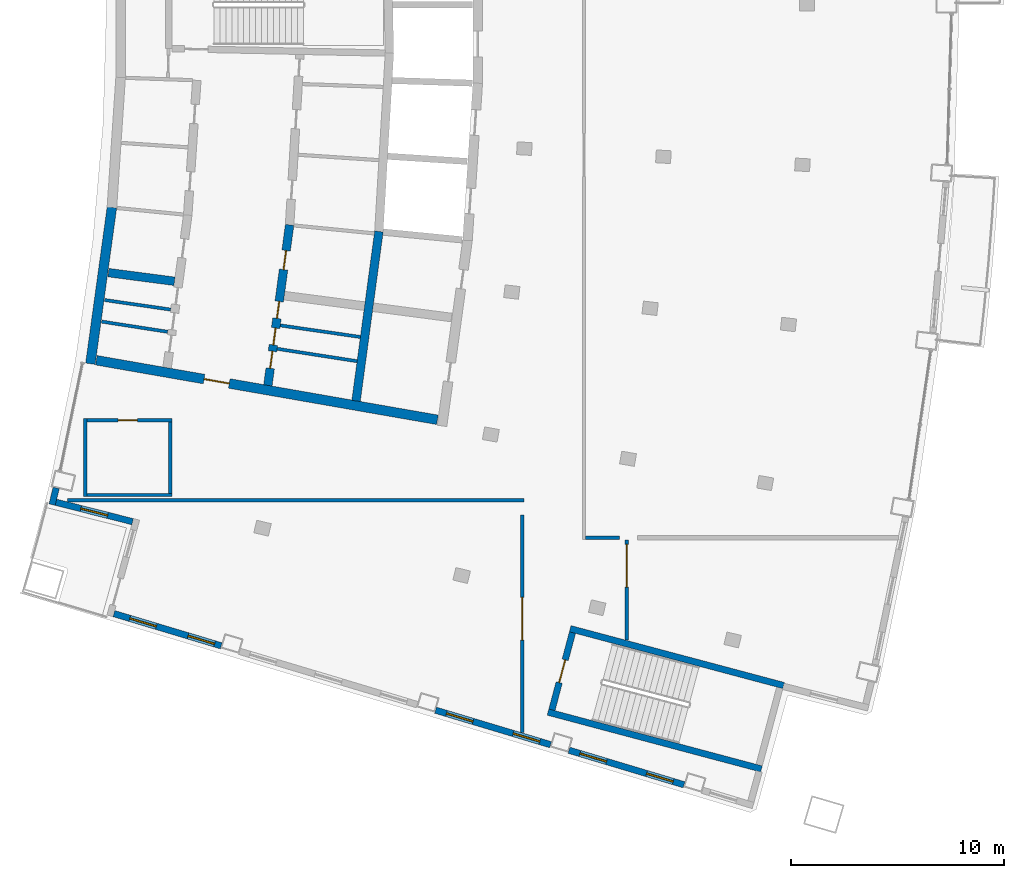
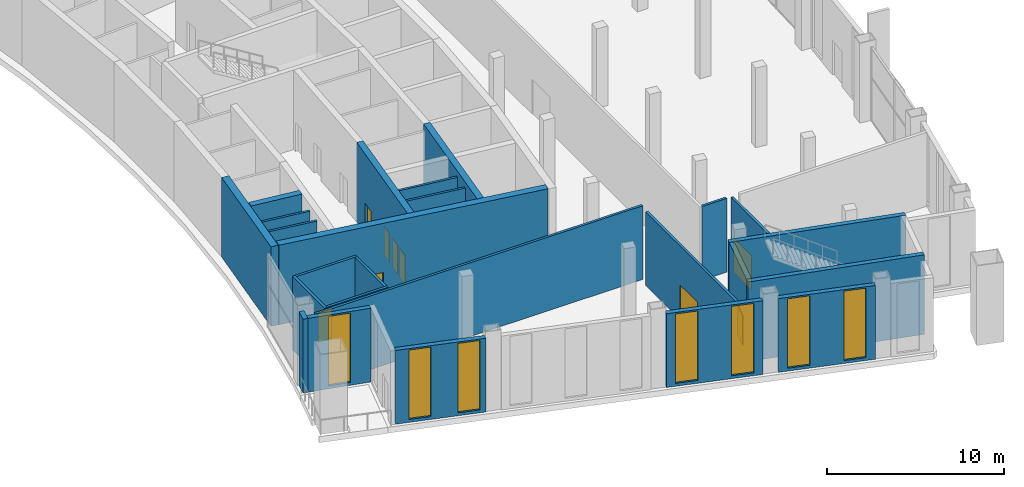
# One storey, part 6 of 13: 25 walls, 9 doors, 7 windows, 16 openings.
"""IFC4 building model written with IfcOpenShell, lengths in metres."""

from ifc_helpers import new_model, si_unit, direction, frame, frame_2d, origin, place, context, subcontext, project, spatial, rectangle, extrude, material, layer, layer_set, type_object, element, fill, save


model = new_model("IFC4")

# Units and contexts
model_context = context("Model", 3, precision=1e-05, world=origin(), true_north=direction((0.0, 1.0)))
body_context = subcontext(model_context, "Body", "Model", "MODEL_VIEW")
ifc_project = project(units=[si_unit("LENGTHUNIT", "METRE"), si_unit("AREAUNIT", "SQUARE_METRE"), si_unit("VOLUMEUNIT", "CUBIC_METRE"), si_unit("PLANEANGLEUNIT", "RADIAN"), si_unit("MASSUNIT", "GRAM", prefix="KILO")], contexts=[model_context])

# Site, building, storey
site_placement = place(None, origin())
site = spatial("IfcSite", under=ifc_project, at=site_placement, CompositionType="ELEMENT")
building_placement = place(site_placement, origin())
building = spatial("IfcBuilding", under=site, at=building_placement, Name="Alderwake Tower", CompositionType="ELEMENT")
storey_placement = place(building_placement, frame((0.0, 0.0, 304.5)))
storey = spatial("IfcBuildingStorey", under=building, at=storey_placement, Name="L74", CompositionType="ELEMENT", Elevation=304.5)

# Walls
ifc_material_1 = material(Name="Gypsum shaft wall system, rated")
ifc_layer_1 = layer(ifc_material_1, 0.14990234375)
ifc_layer_set_1 = layer_set([ifc_layer_1], Name="Core room partition 150")
wall_type_1 = type_object("IfcWallType", Name="Core room partition 150", PredefinedType="PARTITIONING", material=ifc_layer_set_1)
wall_1_placement = place(storey_placement, frame((15.777099609375, 46.136474609375, 0.0), z_axis=(0.0, 0.0, 1.0), x_axis=(0.988162490428, -0.153410861774, 0.0)))
element("IfcWall", 1, at=wall_1_placement, inside=storey, type_object=wall_type_1, Name="CW/L74/PR-161_+0", PredefinedType="PARTITIONING", context=body_context, shape_type="SweptSolid", body=[
    extrude(rectangle(XDim=3.13037109375, YDim=0.14990234375, at=frame_2d((1.565185546875, 0.0))), origin(), (0.0, 0.0, 1.0), 5.10009765625),
])
wall_2_placement = place(storey_placement, frame((24.006103515625, 44.859375, 0.0), z_axis=(0.0, 0.0, 1.0), x_axis=(0.98816936707, -0.153366560842, 0.0)))
element("IfcWall", 2, at=wall_2_placement, inside=storey, type_object=wall_type_1, Name="CW/L74/PR-161_+86", PredefinedType="PARTITIONING", context=body_context, shape_type="SweptSolid", body=[
    extrude(rectangle(XDim=3.796630859375, YDim=0.14990234375, at=frame_2d((1.8984375, 0.0))), origin(), (0.0, 0.0, 1.0), 5.10009765625),
])
wall_3_placement = place(storey_placement, frame((15.916015625, 47.146484375, 0.0), z_axis=(0.0, 0.0, 1.0), x_axis=(0.989723447804, -0.142994744194, 0.0)))
element("IfcWall", 3, at=wall_3_placement, inside=storey, type_object=wall_type_1, Name="CW/L74/PR-150_+0", PredefinedType="PARTITIONING", context=body_context, shape_type="SweptSolid", body=[
    extrude(rectangle(XDim=3.1279296875, YDim=0.14990234375, at=frame_2d((1.56396484375, 0.0))), origin(), (0.0, 0.0, 1.0), 5.10009765625),
])
wall_4_placement = place(storey_placement, frame((24.15478515625, 45.956298828125, 0.0), z_axis=(0.0, 0.0, 1.0), x_axis=(0.989733513529, -0.142925057975, 0.0)))
element("IfcWall", 4, at=wall_4_placement, inside=storey, type_object=wall_type_1, Name="CW/L74/PR-150_+86", PredefinedType="PARTITIONING", context=body_context, shape_type="SweptSolid", body=[
    extrude(rectangle(XDim=3.795654296875, YDim=0.14990234375, at=frame_2d((1.89794921875, 0.0))), origin(), (0.0, 0.0, 1.0), 5.10009765625),
])
ifc_material_2 = material(Name="Concrete C70/85", Category="concrete")
ifc_layer_2 = layer(ifc_material_2, 0.449951171875)
ifc_layer_set_2 = layer_set([ifc_layer_2], Name="Core wall outer 450 C70-85")
wall_type_2 = type_object("IfcWallType", Name="Core wall outer 450 C70-85", PredefinedType="SHEAR", material=ifc_layer_set_2)
wall_5_placement = place(storey_placement, frame((15.247802734375, 44.159423828125, 0.0), z_axis=(0.0, 0.0, 1.0), x_axis=(0.136306095634, 0.990666769551, 0.0)))
element("IfcWall", 5, at=wall_5_placement, inside=storey, type_object=wall_type_2, Name="Core wall CW.028", PredefinedType="SHEAR", context=body_context, shape_type="SweptSolid", body=[
    extrude(rectangle(XDim=7.40625, YDim=0.449951171875, at=frame_2d((3.703125, 0.0))), origin(), (0.0, 0.0, 1.0), 5.5),
])

# Wall, opening, door
wall_6_placement = place(storey_placement, frame((31.523681640625, 41.529052734375, 0.0), z_axis=(0.0, 0.0, 1.0), x_axis=(-0.985099762962, 0.171983885907, 0.0)))
wall_6 = element("IfcWall", 6, at=wall_6_placement, inside=storey, type_object=wall_type_2, Name="Core wall CW.073", PredefinedType="SHEAR", context=body_context, shape_type="SweptSolid", body=[
    extrude(rectangle(XDim=16.23828125, YDim=0.449951171875, at=frame_2d((8.119140625, 0.0))), origin(), (0.0, 0.0, 1.0), 5.5),
])
opening_1_placement = place(wall_6_placement, frame((9.91064453125, 0.0, 0.0)))
opening_1 = element("IfcOpeningElement", 7, at=opening_1_placement, cuts=wall_6, Name="Opening C003", PredefinedType="OPENING", context=body_context, shape_type="SweptSolid", body=[
    extrude(rectangle(XDim=1.199951171875, YDim=2.10009765625, at=frame_2d((0.60009765625, 1.050048828125))), frame((0.0, 0.23486328125, 0.0), z_axis=(0.0, -1.0, 0.0), x_axis=(1.0, 0.0, 0.0)), (0.0, 0.0, 1.0), 0.469970703125),
])
ifc_material_3 = material(Name="Steel-framed fire door leaf", Category="steel")
door_type_1 = type_object("IfcDoorType", Name="Core lobby exit door 1200 fire-rated", OperationType="SINGLE_SWING_LEFT", PredefinedType="DOOR", material=ifc_material_3)
door_1_placement = place(opening_1_placement, origin())
door_1 = element("IfcDoor", 8, at=door_1_placement, inside=storey, type_object=door_type_1, Name="Lobby door", OperationType="SINGLE_SWING_LEFT", OverallHeight=2.10009765625, OverallWidth=1.199951171875, PredefinedType="DOOR", context=body_context, shape_type="SweptSolid", body=[
    extrude(rectangle(XDim=1.199951171875, YDim=2.10009765625, at=frame_2d((0.60009765625, 1.050048828125))), frame((0.0, 0.02490234375, 0.0), z_axis=(0.0, -1.0, 0.0), x_axis=(1.0, 0.0, 0.0)), (0.0, 0.0, 1.0), 0.050048828125),
])
fill(opening_1, door_1)

# Wall, openings, doors
ifc_material_4 = material(Name="Concrete C70/85", Category="concrete")
ifc_layer_3 = layer(ifc_material_4, 0.39990234375)
ifc_layer_set_3 = layer_set([ifc_layer_3], Name="Core wall spine 400 C70-85")
wall_type_3 = type_object("IfcWallType", Name="Core wall spine 400 C70-85", PredefinedType="SHEAR", material=ifc_layer_set_3)
wall_7_placement = place(storey_placement, frame((23.572265625, 43.14453125, 0.0), z_axis=(0.0, 0.0, 1.0), x_axis=(0.134205350878, 0.990953542703, 0.0)))
wall_7 = element("IfcWall", 9, at=wall_7_placement, inside=storey, type_object=wall_type_3, Name="Core wall CW.047", PredefinedType="SHEAR", context=body_context, shape_type="SweptSolid", body=[
    extrude(rectangle(XDim=7.5966796875, YDim=0.39990234375, at=frame_2d((3.79833984375, 0.0))), origin(), (0.0, 0.0, 1.0), 5.5),
])
opening_2_placement = place(wall_7_placement, frame((0.807861328125, 0.0, 0.0)))
opening_2 = element("IfcOpeningElement", 10, at=opening_2_placement, cuts=wall_7, Name="Opening C016", PredefinedType="OPENING", context=body_context, shape_type="SweptSolid", body=[
    extrude(rectangle(XDim=0.800048828125, YDim=2.0, at=frame_2d((0.39990234375, 1.0))), frame((0.0, 0.2099609375, 0.0), z_axis=(0.0, -1.0, 0.0), x_axis=(1.0, 0.0, 0.0)), (0.0, 0.0, 1.0), 0.419921875),
])
opening_3_placement = place(wall_7_placement, frame((1.9130859375, 0.0, 0.0)))
opening_3 = element("IfcOpeningElement", 11, at=opening_3_placement, cuts=wall_7, Name="Opening C018", PredefinedType="OPENING", context=body_context, shape_type="SweptSolid", body=[
    extrude(rectangle(XDim=0.800048828125, YDim=2.0, at=frame_2d((0.39990234375, 1.0))), frame((0.0, 0.2099609375, 0.0), z_axis=(0.0, -1.0, 0.0), x_axis=(1.0, 0.0, 0.0)), (0.0, 0.0, 1.0), 0.419921875),
])
opening_4_placement = place(wall_7_placement, frame((3.16943359375, 0.0, 0.0)))
opening_4 = element("IfcOpeningElement", 12, at=opening_4_placement, cuts=wall_7, Name="Opening C019", PredefinedType="OPENING", context=body_context, shape_type="SweptSolid", body=[
    extrude(rectangle(XDim=0.800048828125, YDim=2.0, at=frame_2d((0.39990234375, 1.0))), frame((0.0, 0.2099609375, 0.0), z_axis=(0.0, -1.0, 0.0), x_axis=(1.0, 0.0, 0.0)), (0.0, 0.0, 1.0), 0.419921875),
])
opening_5_placement = place(wall_7_placement, frame((5.481201171875, 0.0, 0.0)))
opening_5 = element("IfcOpeningElement", 13, at=opening_5_placement, cuts=wall_7, Name="Opening C045", PredefinedType="OPENING", context=body_context, shape_type="SweptSolid", body=[
    extrude(rectangle(XDim=0.89990234375, YDim=2.10009765625, at=frame_2d((0.449951171875, 1.050048828125))), frame((0.0, 0.2099609375, 0.0), z_axis=(0.0, -1.0, 0.0), x_axis=(1.0, 0.0, 0.0)), (0.0, 0.0, 1.0), 0.419921875),
])
ifc_material_5 = material(Name="Painted steel leaf", Category="steel")
door_type_2 = type_object("IfcDoorType", Name="Core room door 900", OperationType="SINGLE_SWING_LEFT", PredefinedType="DOOR", material=ifc_material_5)
door_2_placement = place(opening_5_placement, origin())
door_2 = element("IfcDoor", 14, at=door_2_placement, inside=storey, type_object=door_type_2, Name="Room door", OperationType="SINGLE_SWING_LEFT", OverallHeight=2.10009765625, OverallWidth=0.89990234375, PredefinedType="DOOR", context=body_context, shape_type="SweptSolid", body=[
    extrude(rectangle(XDim=0.89990234375, YDim=2.10009765625, at=frame_2d((0.449951171875, 1.050048828125))), frame((0.0, 0.02490234375, 0.0), z_axis=(0.0, -1.0, 0.0), x_axis=(1.0, 0.0, 0.0)), (0.0, 0.0, 1.0), 0.050048828125),
])
fill(opening_5, door_2)
ifc_material_6 = material(Name="Painted steel leaf, rated", Category="steel")
door_type_3 = type_object("IfcDoorType", Name="Riser access door 800", OperationType="SINGLE_SWING_LEFT", PredefinedType="DOOR", material=ifc_material_6)
door_3_placement = place(opening_2_placement, origin())
door_3 = element("IfcDoor", 15, at=door_3_placement, inside=storey, type_object=door_type_3, Name="Riser access door", OperationType="SINGLE_SWING_RIGHT", OverallHeight=2.0, OverallWidth=0.800048828125, PredefinedType="DOOR", context=body_context, shape_type="SweptSolid", body=[
    extrude(rectangle(XDim=0.800048828125, YDim=2.0, at=frame_2d((0.39990234375, 1.0))), frame((0.0, 0.02490234375, 0.0), z_axis=(0.0, -1.0, 0.0), x_axis=(1.0, 0.0, 0.0)), (0.0, 0.0, 1.0), 0.050048828125),
])
fill(opening_2, door_3)
door_4_placement = place(opening_3_placement, origin())
door_4 = element("IfcDoor", 16, at=door_4_placement, inside=storey, type_object=door_type_3, Name="Riser access door", OperationType="SINGLE_SWING_LEFT", OverallHeight=2.0, OverallWidth=0.800048828125, PredefinedType="DOOR", context=body_context, shape_type="SweptSolid", body=[
    extrude(rectangle(XDim=0.800048828125, YDim=2.0, at=frame_2d((0.39990234375, 1.0))), frame((0.0, 0.02490234375, 0.0), z_axis=(0.0, -1.0, 0.0), x_axis=(1.0, 0.0, 0.0)), (0.0, 0.0, 1.0), 0.050048828125),
])
fill(opening_3, door_4)
door_5_placement = place(opening_4_placement, origin())
door_5 = element("IfcDoor", 17, at=door_5_placement, inside=storey, type_object=door_type_3, Name="Riser access door", OperationType="SINGLE_SWING_RIGHT", OverallHeight=2.0, OverallWidth=0.800048828125, PredefinedType="DOOR", context=body_context, shape_type="SweptSolid", body=[
    extrude(rectangle(XDim=0.800048828125, YDim=2.0, at=frame_2d((0.39990234375, 1.0))), frame((0.0, 0.02490234375, 0.0), z_axis=(0.0, -1.0, 0.0), x_axis=(1.0, 0.0, 0.0)), (0.0, 0.0, 1.0), 0.050048828125),
])
fill(opening_4, door_5)

# Walls
wall_8_placement = place(storey_placement, frame((27.7080078125, 42.413330078125, 0.0), z_axis=(0.0, 0.0, 1.0), x_axis=(0.133812079784, 0.991006724147, 0.0)))
element("IfcWall", 18, at=wall_8_placement, inside=storey, type_object=wall_type_3, Name="Core wall CW.006", PredefinedType="SHEAR", context=body_context, shape_type="SweptSolid", body=[
    extrude(rectangle(XDim=8.0224609375, YDim=0.39990234375, at=frame_2d((4.01123046875, 0.0))), origin(), (0.0, 0.0, 1.0), 5.5),
])
wall_9_placement = place(storey_placement, frame((16.093017578125, 48.431640625, 0.0), z_axis=(0.0, 0.0, 1.0), x_axis=(0.991562461837, -0.12962979702, 0.0)))
element("IfcWall", 19, at=wall_9_placement, inside=storey, type_object=wall_type_3, Name="Core wall CW.067", PredefinedType="SHEAR", context=body_context, shape_type="SweptSolid", body=[
    extrude(rectangle(XDim=3.12451171875, YDim=0.39990234375, at=frame_2d((1.562255859375, 0.0))), origin(), (0.0, 0.0, 1.0), 5.5),
])
ifc_material_7 = material(Name="Concrete C70/85", Category="concrete")
ifc_layer_4 = layer(ifc_material_7, 0.300048828125)
ifc_layer_set_4 = layer_set([ifc_layer_4], Name="Core wall stair enclosure 300 C70-85")
wall_type_4 = type_object("IfcWallType", Name="Core wall stair enclosure 300 C70-85", PredefinedType="SHEAR", material=ifc_layer_set_4)
for number, where, z_axis, x_axis, name in (
    (20, (37.75390625, 31.731201171875, 0.0), (0.0, 0.0, 1.0), (0.966309214305, -0.257383958996, 0.0), "Core wall CW.086"),
    (21, (36.71142578125, 27.817626953125, 0.0), (0.0, 0.0, 1.0), (0.966309214305, -0.257383958996, 0.0), "Core wall CW.088"),
):
    element("IfcWall", number, at=place(storey_placement, frame(where, z_axis=z_axis, x_axis=x_axis)), inside=storey, type_object=wall_type_4, Name=name, PredefinedType="SHEAR", context=body_context, shape_type="SweptSolid", body=[
        extrude(rectangle(XDim=10.360107421875, YDim=0.300048828125, at=frame_2d((5.18017578125, 0.0))), origin(), (0.0, 0.0, 1.0), 5.5),
    ])

# Wall, opening, door
wall_10_placement = place(storey_placement, frame((36.89501953125, 27.923828125, 0.0), z_axis=(0.0, 0.0, 1.0), x_axis=(0.257350630826, 0.966318090907, 0.0)))
wall_10 = element("IfcWall", 22, at=wall_10_placement, inside=storey, type_object=wall_type_4, Name="Core wall CW.087", PredefinedType="SHEAR", context=body_context, shape_type="SweptSolid", body=[
    extrude(rectangle(XDim=3.75, YDim=0.300048828125, at=frame_2d((1.875, 0.0))), origin(), (0.0, 0.0, 1.0), 5.5),
])
opening_6_placement = place(wall_10_placement, frame((1.324951171875, 0.0, 0.0)))
opening_6 = element("IfcOpeningElement", 23, at=opening_6_placement, cuts=wall_10, Name="Opening C065", PredefinedType="OPENING", context=body_context, shape_type="SweptSolid", body=[
    extrude(rectangle(XDim=1.10009765625, YDim=2.10009765625, at=frame_2d((0.550048828125, 1.050048828125))), frame((0.0, 0.159912109375, 0.0), z_axis=(0.0, -1.0, 0.0), x_axis=(1.0, 0.0, 0.0)), (0.0, 0.0, 1.0), 0.320068359375),
])
ifc_material_8 = material(Name="Steel-framed fire door leaf", Category="steel")
door_type_4 = type_object("IfcDoorType", Name="Core stair door 1100 fire-rated", OperationType="SINGLE_SWING_LEFT", PredefinedType="DOOR", material=ifc_material_8)
door_6_placement = place(opening_6_placement, origin())
door_6 = element("IfcDoor", 24, at=door_6_placement, inside=storey, type_object=door_type_4, Name="Stair door", OperationType="SINGLE_SWING_LEFT", OverallHeight=2.10009765625, OverallWidth=1.10009765625, PredefinedType="DOOR", context=body_context, shape_type="SweptSolid", body=[
    extrude(rectangle(XDim=1.10009765625, YDim=2.10009765625, at=frame_2d((0.550048828125, 1.050048828125))), frame((0.0, 0.02490234375, 0.0), z_axis=(0.0, -1.0, 0.0), x_axis=(1.0, 0.0, 0.0)), (0.0, 0.0, 1.0), 0.050048828125),
])
fill(opening_6, door_6)

# Walls
ifc_material_9 = material(Name="Gypsum board on metal studs, rated")
ifc_layer_5 = layer(ifc_material_9, 0.159912109375)
ifc_layer_set_5 = layer_set([ifc_layer_5], Name="Corridor wall 160")
wall_type_5 = type_object("IfcWallType", Name="Corridor wall 160", PredefinedType="PARTITIONING", material=ifc_layer_set_5)
wall_11_placement = place(storey_placement, frame((14.179931640625, 37.7490234375, 0.0), z_axis=(0.0, 0.0, 1.0), x_axis=(1.0, 0.0, 0.0)))
element("IfcWall", 25, at=wall_11_placement, inside=storey, type_object=wall_type_5, Name="WL/L74/W05", PredefinedType="PARTITIONING", context=body_context, shape_type="SweptSolid", body=[
    extrude(rectangle(XDim=21.399169921875, YDim=0.159912109375, at=frame_2d((10.69970703125, 0.0))), origin(), (0.0, 0.0, 1.0), 5.10009765625),
])
wall_12_placement = place(storey_placement, frame((15.0, 37.9208984375, 0.0), z_axis=(0.0, 0.0, 1.0), x_axis=(0.0, 1.0, 0.0)))
element("IfcWall", 26, at=wall_12_placement, inside=storey, type_object=wall_type_5, Name="WL/L74/W06", PredefinedType="PARTITIONING", context=body_context, shape_type="SweptSolid", body=[
    extrude(rectangle(XDim=3.658203125, YDim=0.159912109375, at=frame_2d((1.8291015625, 0.0))), origin(), (0.0, 0.0, 1.0), 5.10009765625),
])
wall_13_placement = place(storey_placement, frame((15.080078125, 38.0009765625, 0.0), z_axis=(0.0, 0.0, 1.0), x_axis=(1.0, 0.0, 0.0)))
element("IfcWall", 27, at=wall_13_placement, inside=storey, type_object=wall_type_5, Name="WL/L74/W07", PredefinedType="PARTITIONING", context=body_context, shape_type="SweptSolid", body=[
    extrude(rectangle(XDim=3.9990234375, YDim=0.159912109375, at=frame_2d((1.99951171875, 0.0))), origin(), (0.0, 0.0, 1.0), 5.10009765625),
])

# Wall, opening, door
wall_14_placement = place(storey_placement, frame((15.080078125, 41.4990234375, 0.0), z_axis=(0.0, 0.0, 1.0), x_axis=(1.0, 0.0, 0.0)))
wall_14 = element("IfcWall", 28, at=wall_14_placement, inside=storey, type_object=wall_type_5, Name="WL/L74/W08", PredefinedType="PARTITIONING", context=body_context, shape_type="SweptSolid", body=[
    extrude(rectangle(XDim=3.9990234375, YDim=0.159912109375, at=frame_2d((1.99951171875, 0.0))), origin(), (0.0, 0.0, 1.0), 5.10009765625),
])
opening_7_placement = place(wall_14_placement, frame((1.469970703125, 0.0, 0.0)))
opening_7 = element("IfcOpeningElement", 29, at=opening_7_placement, cuts=wall_14, Name="Opening L74-08", PredefinedType="OPENING", context=body_context, shape_type="SweptSolid", body=[
    extrude(rectangle(XDim=0.89990234375, YDim=2.10009765625, at=frame_2d((0.449951171875, 1.050048828125))), frame((0.0, 0.08984375, 0.0), z_axis=(0.0, -1.0, 0.0), x_axis=(1.0, 0.0, 0.0)), (0.0, 0.0, 1.0), 0.179931640625),
])
ifc_material_10 = material(Name="Painted timber leaf", Category="wood")
door_type_5 = type_object("IfcDoorType", Name="Room door 900", OperationType="SINGLE_SWING_LEFT", PredefinedType="DOOR", material=ifc_material_10)
door_7_placement = place(opening_7_placement, origin())
door_7 = element("IfcDoor", 30, at=door_7_placement, inside=storey, type_object=door_type_5, Name="DR/L74/08", OperationType="SINGLE_SWING_LEFT", OverallHeight=2.10009765625, OverallWidth=0.89990234375, PredefinedType="DOOR", context=body_context, shape_type="SweptSolid", body=[
    extrude(rectangle(XDim=0.89990234375, YDim=2.10009765625, at=frame_2d((0.449951171875, 1.050048828125))), frame((0.0, 0.02490234375, 0.0), z_axis=(0.0, -1.0, 0.0), x_axis=(1.0, 0.0, 0.0)), (0.0, 0.0, 1.0), 0.050048828125),
])
fill(opening_7, door_7)

# Wall
wall_15_placement = place(storey_placement, frame((18.9990234375, 41.4189453125, 0.0), z_axis=(0.0, 0.0, 1.0), x_axis=(0.0, -1.0, 0.0)))
element("IfcWall", 31, at=wall_15_placement, inside=storey, type_object=wall_type_5, Name="WL/L74/W17", PredefinedType="PARTITIONING", context=body_context, shape_type="SweptSolid", body=[
    extrude(rectangle(XDim=3.337890625, YDim=0.159912109375, at=frame_2d((1.6689453125, 0.0))), origin(), (0.0, 0.0, 1.0), 5.10009765625),
])

# Wall, opening, door
wall_16_placement = place(storey_placement, frame((35.4990234375, 37.069091796875, 0.0), z_axis=(0.0, 0.0, 1.0), x_axis=(0.0, -1.0, 0.0)))
wall_16 = element("IfcWall", 32, at=wall_16_placement, inside=storey, type_object=wall_type_5, Name="WL/L74/W20", PredefinedType="PARTITIONING", context=body_context, shape_type="SweptSolid", body=[
    extrude(rectangle(XDim=10.2021484375, YDim=0.159912109375, at=frame_2d((5.10107421875, 0.0))), origin(), (0.0, 0.0, 1.0), 5.10009765625),
])
opening_8_placement = place(wall_16_placement, frame((3.868896484375, 0.0, 0.0)))
opening_8 = element("IfcOpeningElement", 33, at=opening_8_placement, cuts=wall_16, Name="Opening L74-05", PredefinedType="OPENING", context=body_context, shape_type="SweptSolid", body=[
    extrude(rectangle(XDim=2.0, YDim=2.39990234375, at=frame_2d((1.0, 1.199951171875))), frame((0.0, 0.08984375, 0.0), z_axis=(0.0, -1.0, 0.0), x_axis=(1.0, 0.0, 0.0)), (0.0, 0.0, 1.0), 0.179931640625),
])
ifc_material_11 = material(Name="Timber leaves with glazed panels", Category="wood")
door_type_6 = type_object("IfcDoorType", Name="Hall double door 2000", OperationType="DOUBLE_DOOR_SINGLE_SWING", PredefinedType="DOOR", material=ifc_material_11)
door_8_placement = place(opening_8_placement, origin())
door_8 = element("IfcDoor", 34, at=door_8_placement, inside=storey, type_object=door_type_6, Name="DR/L74/05", OperationType="DOUBLE_DOOR_SINGLE_SWING", OverallHeight=2.39990234375, OverallWidth=2.0, PredefinedType="DOOR", context=body_context, shape_type="SweptSolid", body=[
    extrude(rectangle(XDim=2.0, YDim=2.39990234375, at=frame_2d((1.0, 1.199951171875))), frame((0.0, 0.02490234375, 0.0), z_axis=(0.0, -1.0, 0.0), x_axis=(1.0, 0.0, 0.0)), (0.0, 0.0, 1.0), 0.050048828125),
])
fill(opening_8, door_8)

wall_17_placement = place(storey_placement, frame((40.40087890625, 31.201904296875, 0.0), z_axis=(0.0, 0.0, 1.0), x_axis=(0.0, 1.0, 0.0)))
wall_17 = element("IfcWall", 35, at=wall_17_placement, inside=storey, type_object=wall_type_5, Name="WL/L74/W25", PredefinedType="PARTITIONING", context=body_context, shape_type="SweptSolid", body=[
    extrude(rectangle(XDim=4.697998046875, YDim=0.159912109375, at=frame_2d((2.34912109375, 0.0))), origin(), (0.0, 0.0, 1.0), 5.10009765625),
])
opening_9_placement = place(wall_17_placement, frame((2.4794921875, 0.0, 0.0)))
opening_9 = element("IfcOpeningElement", 36, at=opening_9_placement, cuts=wall_17, Name="Opening L74-07", PredefinedType="OPENING", context=body_context, shape_type="SweptSolid", body=[
    extrude(rectangle(XDim=2.0, YDim=2.39990234375, at=frame_2d((1.0, 1.199951171875))), frame((0.0, 0.08984375, 0.0), z_axis=(0.0, -1.0, 0.0), x_axis=(1.0, 0.0, 0.0)), (0.0, 0.0, 1.0), 0.179931640625),
])
door_9_placement = place(opening_9_placement, origin())
door_9 = element("IfcDoor", 37, at=door_9_placement, inside=storey, type_object=door_type_6, Name="DR/L74/07", OperationType="DOUBLE_DOOR_SINGLE_SWING", OverallHeight=2.39990234375, OverallWidth=2.0, PredefinedType="DOOR", context=body_context, shape_type="SweptSolid", body=[
    extrude(rectangle(XDim=2.0, YDim=2.39990234375, at=frame_2d((1.0, 1.199951171875))), frame((0.0, 0.02490234375, 0.0), z_axis=(0.0, -1.0, 0.0), x_axis=(1.0, 0.0, 0.0)), (0.0, 0.0, 1.0), 0.050048828125),
])
fill(opening_9, door_9)

# Walls
wall_18_placement = place(storey_placement, frame((40.067626953125, 36.0, 0.0), z_axis=(0.0, 0.0, 1.0), x_axis=(-1.0, 0.0, 0.0)))
element("IfcWall", 38, at=wall_18_placement, inside=storey, type_object=wall_type_5, Name="WL/L74/W26", PredefinedType="PARTITIONING", context=body_context, shape_type="SweptSolid", body=[
    extrude(rectangle(XDim=1.587646484375, YDim=0.159912109375, at=frame_2d((0.7939453125, 0.0))), origin(), (0.0, 0.0, 1.0), 5.10009765625),
])
ifc_material_12 = material(Name="Precast concrete C50/60 spandrel panel", Category="concrete")
ifc_layer_6 = layer(ifc_material_12, 0.300048828125)
ifc_layer_set_6 = layer_set([ifc_layer_6], Name="External wall EW1 Precast concrete C50/60 spandrel")
wall_type_6 = type_object("IfcWallType", Name="External wall EW1 Precast concrete C50/60 spandrel", PredefinedType="SOLIDWALL", material=ifc_layer_set_6)
wall_19_placement = place(storey_placement, frame((13.643310546875, 38.33154296875, 0.0), z_axis=(0.0, 0.0, 1.0), x_axis=(-0.238313493867, -0.971188281767, 0.0)))
element("IfcWall", 39, at=wall_19_placement, inside=storey, type_object=wall_type_6, Name="External wall 1", PredefinedType="SOLIDWALL", context=body_context, shape_type="SweptSolid", body=[
    extrude(rectangle(XDim=0.80322265625, YDim=0.300048828125, at=frame_2d((0.401611328125, 0.0))), origin(), (0.0, 0.0, 1.0), 5.10009765625),
])

# Wall, opening, window
ifc_material_13 = material(Name="Bronze metal cladding on lightweight framing")
ifc_layer_7 = layer(ifc_material_13, 0.300048828125)
ifc_layer_set_7 = layer_set([ifc_layer_7], Name="External wall EW2 bronze metal cladding")
wall_type_7 = type_object("IfcWallType", Name="External wall EW2 bronze metal cladding", PredefinedType="SOLIDWALL", material=ifc_layer_set_7)
wall_20_placement = place(storey_placement, frame((13.633056640625, 37.660400390625, 0.0), z_axis=(0.0, 0.0, 1.0), x_axis=(0.969417366605, -0.245417948254, 0.0)))
wall_20 = element("IfcWall", 40, at=wall_20_placement, inside=storey, type_object=wall_type_7, Name="External wall 2", PredefinedType="SOLIDWALL", context=body_context, shape_type="SweptSolid", body=[
    extrude(rectangle(XDim=3.70556640625, YDim=0.300048828125, at=frame_2d((1.852783203125, 0.0))), origin(), (0.0, 0.0, 1.0), 5.10009765625),
])
opening_10_placement = place(wall_20_placement, frame((1.202880859375, 0.0, 0.199951171875)))
opening_10 = element("IfcOpeningElement", 41, at=opening_10_placement, cuts=wall_20, Name="Opening W3", PredefinedType="OPENING", context=body_context, shape_type="SweptSolid", body=[
    extrude(rectangle(XDim=1.300048828125, YDim=4.800048828125, at=frame_2d((0.64990234375, 2.39990234375))), frame((0.0, 0.159912109375, 0.0), z_axis=(0.0, -1.0, 0.0), x_axis=(1.0, 0.0, 0.0)), (0.0, 0.0, 1.0), 0.320068359375),
])
ifc_material_14 = material(Name="Bronze tinted glass in aluminium frame", Category="aluminium")
window_type = type_object("IfcWindowType", Name="Window W3 amenity floor tall", PartitioningType="DOUBLE_PANEL_VERTICAL", PredefinedType="WINDOW", material=ifc_material_14)
window_1_placement = place(opening_10_placement, origin())
window_1 = element("IfcWindow", 42, at=window_1_placement, inside=storey, type_object=window_type, Name="Window W3 amenity floor tall", OverallHeight=4.800048828125, OverallWidth=1.300048828125, PartitioningType="DOUBLE_PANEL_VERTICAL", PredefinedType="WINDOW", context=body_context, shape_type="SweptSolid", body=[
    extrude(rectangle(XDim=1.300048828125, YDim=4.800048828125, at=frame_2d((0.64990234375, 2.39990234375))), frame((0.0, 0.030029296875, 0.0), z_axis=(0.0, -1.0, 0.0), x_axis=(1.0, 0.0, 0.0)), (0.0, 0.0, 1.0), 0.06005859375),
])
fill(opening_10, window_1)

# Wall, openings, windows
wall_21_placement = place(storey_placement, frame((16.352783203125, 32.4375, 0.0), z_axis=(0.0, 0.0, 1.0), x_axis=(0.957768668152, -0.287539872551, 0.0)))
wall_21 = element("IfcWall", 43, at=wall_21_placement, inside=storey, type_object=wall_type_7, Name="External wall 4", PredefinedType="SOLIDWALL", context=body_context, shape_type="SweptSolid", body=[
    extrude(rectangle(XDim=5.249755859375, YDim=0.300048828125, at=frame_2d((2.625, 0.0))), origin(), (0.0, 0.0, 1.0), 5.10009765625),
])
opening_11_placement = place(wall_21_placement, frame((0.775390625, 0.0, 0.199951171875)))
opening_11 = element("IfcOpeningElement", 44, at=opening_11_placement, cuts=wall_21, Name="Opening W3", PredefinedType="OPENING", context=body_context, shape_type="SweptSolid", body=[
    extrude(rectangle(XDim=1.300048828125, YDim=4.800048828125, at=frame_2d((0.64990234375, 2.39990234375))), frame((0.0, 0.159912109375, 0.0), z_axis=(0.0, -1.0, 0.0), x_axis=(1.0, 0.0, 0.0)), (0.0, 0.0, 1.0), 0.320068359375),
])
opening_12_placement = place(wall_21_placement, frame((3.626220703125, 0.0, 0.199951171875)))
opening_12 = element("IfcOpeningElement", 45, at=opening_12_placement, cuts=wall_21, Name="Opening W3", PredefinedType="OPENING", context=body_context, shape_type="SweptSolid", body=[
    extrude(rectangle(XDim=1.300048828125, YDim=4.800048828125, at=frame_2d((0.64990234375, 2.39990234375))), frame((0.0, 0.159912109375, 0.0), z_axis=(0.0, -1.0, 0.0), x_axis=(1.0, 0.0, 0.0)), (0.0, 0.0, 1.0), 0.320068359375),
])
window_2_placement = place(opening_11_placement, origin())
window_2 = element("IfcWindow", 46, at=window_2_placement, inside=storey, type_object=window_type, Name="Window W3 amenity floor tall", OverallHeight=4.800048828125, OverallWidth=1.300048828125, PartitioningType="DOUBLE_PANEL_VERTICAL", PredefinedType="WINDOW", context=body_context, shape_type="SweptSolid", body=[
    extrude(rectangle(XDim=1.300048828125, YDim=4.800048828125, at=frame_2d((0.64990234375, 2.39990234375))), frame((0.0, 0.030029296875, 0.0), z_axis=(0.0, -1.0, 0.0), x_axis=(1.0, 0.0, 0.0)), (0.0, 0.0, 1.0), 0.06005859375),
])
fill(opening_11, window_2)
window_3_placement = place(opening_12_placement, origin())
window_3 = element("IfcWindow", 47, at=window_3_placement, inside=storey, type_object=window_type, Name="Window W3 amenity floor tall", OverallHeight=4.800048828125, OverallWidth=1.300048828125, PartitioningType="DOUBLE_PANEL_VERTICAL", PredefinedType="WINDOW", context=body_context, shape_type="SweptSolid", body=[
    extrude(rectangle(XDim=1.300048828125, YDim=4.800048828125, at=frame_2d((0.64990234375, 2.39990234375))), frame((0.0, 0.030029296875, 0.0), z_axis=(0.0, -1.0, 0.0), x_axis=(1.0, 0.0, 0.0)), (0.0, 0.0, 1.0), 0.06005859375),
])
fill(opening_12, window_3)

wall_22_placement = place(storey_placement, frame((31.441162109375, 27.90771484375, 0.0), z_axis=(0.0, 0.0, 1.0), x_axis=(0.957764198898, -0.287554758802, 0.0)))
wall_22 = element("IfcWall", 48, at=wall_22_placement, inside=storey, type_object=wall_type_7, Name="External wall 6", PredefinedType="SOLIDWALL", context=body_context, shape_type="SweptSolid", body=[
    extrude(rectangle(XDim=5.6298828125, YDim=0.300048828125, at=frame_2d((2.81494140625, 0.0))), origin(), (0.0, 0.0, 1.0), 5.10009765625),
])
opening_13_placement = place(wall_22_placement, frame((0.531494140625, 0.0, 0.199951171875)))
opening_13 = element("IfcOpeningElement", 49, at=opening_13_placement, cuts=wall_22, Name="Opening W3", PredefinedType="OPENING", context=body_context, shape_type="SweptSolid", body=[
    extrude(rectangle(XDim=1.300048828125, YDim=4.800048828125, at=frame_2d((0.64990234375, 2.39990234375))), frame((0.0, 0.159912109375, 0.0), z_axis=(0.0, -1.0, 0.0), x_axis=(1.0, 0.0, 0.0)), (0.0, 0.0, 1.0), 0.320068359375),
])
opening_14_placement = place(wall_22_placement, frame((3.79833984375, 0.0, 0.199951171875)))
opening_14 = element("IfcOpeningElement", 50, at=opening_14_placement, cuts=wall_22, Name="Opening W3", PredefinedType="OPENING", context=body_context, shape_type="SweptSolid", body=[
    extrude(rectangle(XDim=1.300048828125, YDim=4.800048828125, at=frame_2d((0.64990234375, 2.39990234375))), frame((0.0, 0.159912109375, 0.0), z_axis=(0.0, -1.0, 0.0), x_axis=(1.0, 0.0, 0.0)), (0.0, 0.0, 1.0), 0.320068359375),
])
window_4_placement = place(opening_13_placement, origin())
window_4 = element("IfcWindow", 51, at=window_4_placement, inside=storey, type_object=window_type, Name="Window W3 amenity floor tall", OverallHeight=4.800048828125, OverallWidth=1.300048828125, PartitioningType="DOUBLE_PANEL_VERTICAL", PredefinedType="WINDOW", context=body_context, shape_type="SweptSolid", body=[
    extrude(rectangle(XDim=1.300048828125, YDim=4.800048828125, at=frame_2d((0.64990234375, 2.39990234375))), frame((0.0, 0.030029296875, 0.0), z_axis=(0.0, -1.0, 0.0), x_axis=(1.0, 0.0, 0.0)), (0.0, 0.0, 1.0), 0.06005859375),
])
fill(opening_13, window_4)
window_5_placement = place(opening_14_placement, origin())
window_5 = element("IfcWindow", 52, at=window_5_placement, inside=storey, type_object=window_type, Name="Window W3 amenity floor tall", OverallHeight=4.800048828125, OverallWidth=1.300048828125, PartitioningType="DOUBLE_PANEL_VERTICAL", PredefinedType="WINDOW", context=body_context, shape_type="SweptSolid", body=[
    extrude(rectangle(XDim=1.300048828125, YDim=4.800048828125, at=frame_2d((0.64990234375, 2.39990234375))), frame((0.0, 0.030029296875, 0.0), z_axis=(0.0, -1.0, 0.0), x_axis=(1.0, 0.0, 0.0)), (0.0, 0.0, 1.0), 0.06005859375),
])
fill(opening_14, window_5)

wall_23_placement = place(storey_placement, frame((37.698486328125, 26.029052734375, 0.0), z_axis=(0.0, 0.0, 1.0), x_axis=(0.957755841517, -0.287582593423, 0.0)))
wall_23 = element("IfcWall", 53, at=wall_23_placement, inside=storey, type_object=wall_type_7, Name="External wall 7", PredefinedType="SOLIDWALL", context=body_context, shape_type="SweptSolid", body=[
    extrude(rectangle(XDim=5.630126953125, YDim=0.300048828125, at=frame_2d((2.81494140625, 0.0))), origin(), (0.0, 0.0, 1.0), 5.10009765625),
])
opening_15_placement = place(wall_23_placement, frame((0.531494140625, 0.0, 0.199951171875)))
opening_15 = element("IfcOpeningElement", 54, at=opening_15_placement, cuts=wall_23, Name="Opening W3", PredefinedType="OPENING", context=body_context, shape_type="SweptSolid", body=[
    extrude(rectangle(XDim=1.300048828125, YDim=4.800048828125, at=frame_2d((0.64990234375, 2.39990234375))), frame((0.0, 0.159912109375, 0.0), z_axis=(0.0, -1.0, 0.0), x_axis=(1.0, 0.0, 0.0)), (0.0, 0.0, 1.0), 0.320068359375),
])
opening_16_placement = place(wall_23_placement, frame((3.79833984375, 0.0, 0.199951171875)))
opening_16 = element("IfcOpeningElement", 55, at=opening_16_placement, cuts=wall_23, Name="Opening W3", PredefinedType="OPENING", context=body_context, shape_type="SweptSolid", body=[
    extrude(rectangle(XDim=1.300048828125, YDim=4.800048828125, at=frame_2d((0.64990234375, 2.39990234375))), frame((0.0, 0.159912109375, 0.0), z_axis=(0.0, -1.0, 0.0), x_axis=(1.0, 0.0, 0.0)), (0.0, 0.0, 1.0), 0.320068359375),
])
window_6_placement = place(opening_15_placement, origin())
window_6 = element("IfcWindow", 56, at=window_6_placement, inside=storey, type_object=window_type, Name="Window W3 amenity floor tall", OverallHeight=4.800048828125, OverallWidth=1.300048828125, PartitioningType="DOUBLE_PANEL_VERTICAL", PredefinedType="WINDOW", context=body_context, shape_type="SweptSolid", body=[
    extrude(rectangle(XDim=1.300048828125, YDim=4.800048828125, at=frame_2d((0.64990234375, 2.39990234375))), frame((0.0, 0.030029296875, 0.0), z_axis=(0.0, -1.0, 0.0), x_axis=(1.0, 0.0, 0.0)), (0.0, 0.0, 1.0), 0.06005859375),
])
fill(opening_15, window_6)
window_7_placement = place(opening_16_placement, origin())
window_7 = element("IfcWindow", 57, at=window_7_placement, inside=storey, type_object=window_type, Name="Window W3 amenity floor tall", OverallHeight=4.800048828125, OverallWidth=1.300048828125, PartitioningType="DOUBLE_PANEL_VERTICAL", PredefinedType="WINDOW", context=body_context, shape_type="SweptSolid", body=[
    extrude(rectangle(XDim=1.300048828125, YDim=4.800048828125, at=frame_2d((0.64990234375, 2.39990234375))), frame((0.0, 0.030029296875, 0.0), z_axis=(0.0, -1.0, 0.0), x_axis=(1.0, 0.0, 0.0)), (0.0, 0.0, 1.0), 0.06005859375),
])
fill(opening_16, window_7)

save(model, "model.ifc")
